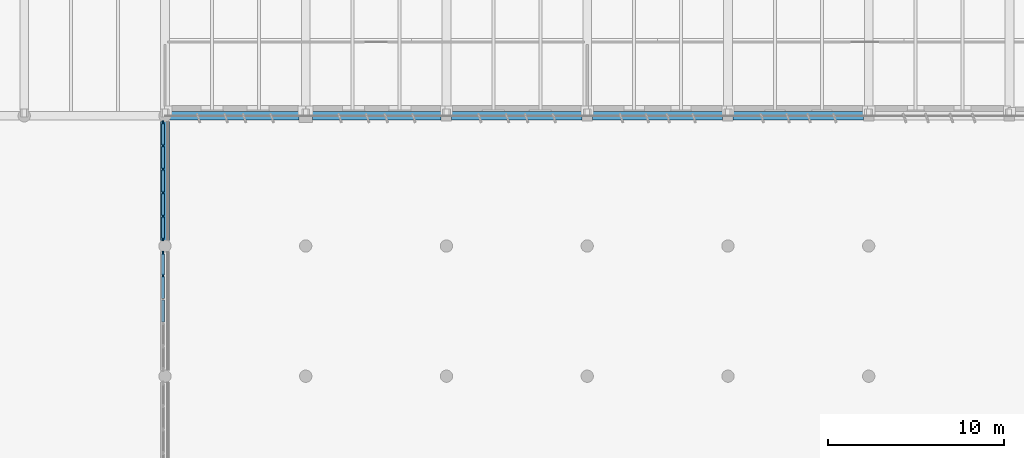
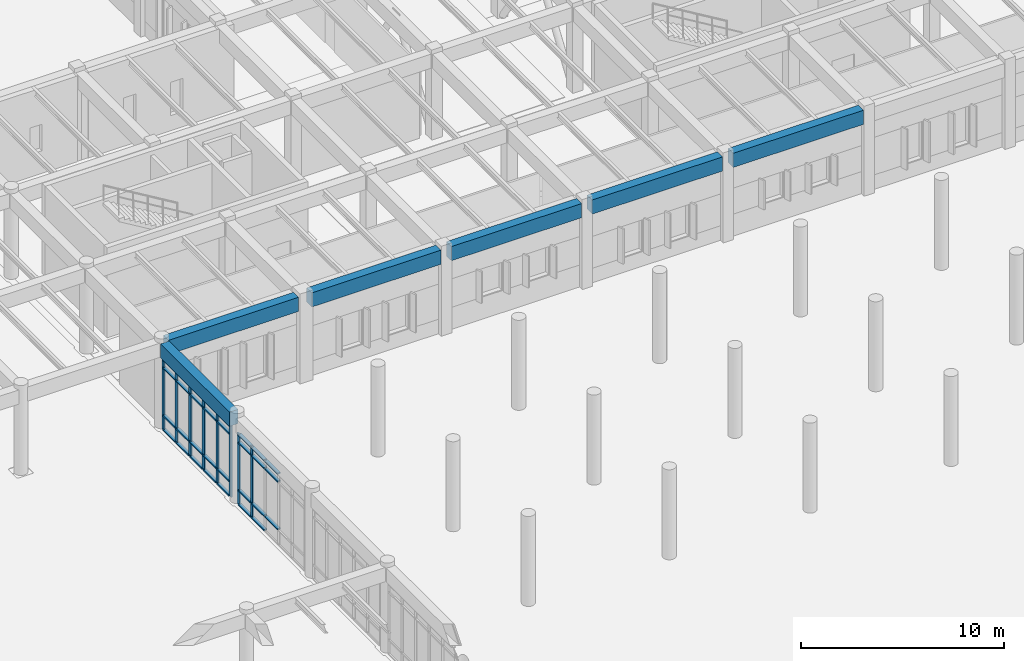
# One storey, part 6 of 56: 39 members, 6 beams, 2 elements without a shape of their own.
"""IFC4 building model written with IfcOpenShell, lengths in metres."""

from ifc_helpers import new_model, si_unit, direction, frame, origin, origin_2d, place, context, subcontext, project, spatial, rectangle, extrude, material, layer, layer_set, material_profile, profile_set, type_object, element, aggregate, save


model = new_model("IFC4")

# Units and contexts
model_context = context("Model", 3, precision=1e-05, world=origin(), true_north=direction((0.0, 1.0)))
body_context = subcontext(model_context, "Body", "Model", "MODEL_VIEW")
ifc_project = project(units=[si_unit("LENGTHUNIT", "METRE"), si_unit("AREAUNIT", "SQUARE_METRE"), si_unit("VOLUMEUNIT", "CUBIC_METRE"), si_unit("PLANEANGLEUNIT", "RADIAN"), si_unit("MASSUNIT", "GRAM", prefix="KILO")], contexts=[model_context])

# Site, building, storey
site_placement = place(None, origin())
site = spatial("IfcSite", under=ifc_project, at=site_placement, CompositionType="ELEMENT")
building_placement = place(site_placement, origin())
building = spatial("IfcBuilding", under=site, at=building_placement, Name="Valkorina Park Police Headquarters", CompositionType="ELEMENT")
storey_placement = place(building_placement, origin())
storey = spatial("IfcBuildingStorey", under=building, at=storey_placement, Name="L01", CompositionType="ELEMENT", Elevation=0.0)

# Beams
ifc_material_1 = material(Name="Concrete C40/50", Category="concrete")
ifc_material_profile_1 = material_profile(ifc_material_1, rectangle(XDim=0.5, YDim=0.85009765625, at=origin_2d()), Name="RC BEAM 500x850")
ifc_profile_set_1 = profile_set([ifc_material_profile_1], Name="Concrete C40/50")
beam_type = type_object("IfcBeamType", Name="BM-RC-500x850-EXT", PredefinedType="SPANDREL", material=ifc_profile_set_1)
beam_1_placement = place(storey_placement, frame((81.044921875, 59.199951171875, 4.715087890625), z_axis=(1.0, 0.0, 0.0), x_axis=(0.0, 1.0, 0.0)))
element("IfcBeam", 1, at=beam_1_placement, inside=storey, type_object=beam_type, Name="L01 Framing Beam 0772", PredefinedType="SPANDREL", context=body_context, shape_type="SweptSolid", body=[
    extrude(rectangle(XDim=0.5, YDim=0.85009765625, at=origin_2d()), origin(), (0.0, 0.0, 1.0), 7.380126953125),
])
beam_2_placement = place(storey_placement, frame((89.175048828125, 59.199951171875, 4.715087890625), z_axis=(1.0, 0.0, 0.0), x_axis=(0.0, 1.0, 0.0)))
element("IfcBeam", 2, at=beam_2_placement, inside=storey, type_object=beam_type, Name="L01 Framing Beam 0773", PredefinedType="SPANDREL", context=body_context, shape_type="SweptSolid", body=[
    extrude(rectangle(XDim=0.5, YDim=0.85009765625, at=origin_2d()), origin(), (0.0, 0.0, 1.0), 7.324951171875),
])
for number, where, z_axis, x_axis, name in (
    (3, (97.10009765625, 59.199951171875, 4.715087890625), (1.0, 0.0, 0.0), (0.0, 1.0, 0.0), "L01 Framing Beam 0774"),
    (4, (105.10009765625, 59.199951171875, 4.715087890625), (1.0, 0.0, 0.0), (0.0, 1.0, 0.0), "L01 Framing Beam 0775"),
    (5, (113.10009765625, 59.199951171875, 4.715087890625), (1.0, 0.0, 0.0), (0.0, 1.0, 0.0), "L01 Framing Beam 0776"),
):
    element("IfcBeam", number, at=place(storey_placement, frame(where, z_axis=z_axis, x_axis=x_axis)), inside=storey, type_object=beam_type, Name=name, PredefinedType="SPANDREL", context=body_context, shape_type="SweptSolid", body=[
        extrude(rectangle(XDim=0.5, YDim=0.85009765625, at=origin_2d()), origin(), (0.0, 0.0, 1.0), 7.39990234375),
    ])
beam_3_placement = place(storey_placement, frame((80.800048828125, 52.1162109375, 4.715087890625), z_axis=(0.0, 1.0, 0.0), x_axis=(-1.0, 0.0, 0.0)))
element("IfcBeam", 6, at=beam_3_placement, inside=storey, type_object=beam_type, Name="L01 Framing Beam 1078", PredefinedType="SPANDREL", context=body_context, shape_type="SweptSolid", body=[
    extrude(rectangle(XDim=0.5, YDim=0.85009765625, at=origin_2d()), origin(), (0.0, 0.0, 1.0), 6.767578125),
])

# Curtain wall, members
ifc_material_2 = material(Name="Thermally broken aluminium AW-6060", Category="aluminium")
ifc_layer = layer(ifc_material_2, 0.18994140625)
ifc_layer_set = layer_set([ifc_layer], Name="Thermally broken aluminium AW-6060")
curtain_wall_type = type_object("IfcCurtainWallType", Name="CW-V4-6680x4280", PredefinedType="NOTDEFINED", material=ifc_layer_set)
curtain_wall_1_placement = place(storey_placement, origin())
curtain_wall_1 = element("IfcCurtainWall", 7, at=curtain_wall_1_placement, inside=storey, type_object=curtain_wall_type, Name="L01 Unitised Curtain Wall 001", PredefinedType="NOTDEFINED")
ifc_material_profile_2 = material_profile(ifc_material_2, rectangle(XDim=0.080078125, YDim=0.219970703125, at=origin_2d()), Name="CWM-03 80x220")
ifc_profile_set_2 = profile_set([ifc_material_profile_2], Name="Thermally broken aluminium AW-6060")
member_type_1 = type_object("IfcMemberType", Name="CWM-80x220", PredefinedType="MULLION", material=ifc_profile_set_2)
member_1_placement = place(storey_placement, frame((80.679931640625, 58.800048828125, 0.0), z_axis=(0.0, 0.0, 1.0), x_axis=(1.0, 0.0, 0.0)))
member_1 = element("IfcMember", 8, at=member_1_placement, type_object=member_type_1, Name="CW-V4-668-428 mullion 1", PredefinedType="MULLION", context=body_context, shape_type="SweptSolid", body=[
    extrude(rectangle(XDim=0.080078125, YDim=0.219970703125, at=origin_2d()), origin(), (0.0, 0.0, 1.0), 4.280029296875),
])
member_2_placement = place(storey_placement, frame((80.679931640625, 57.50390625, 0.0), z_axis=(0.0, 0.0, 1.0), x_axis=(1.0, 0.0, 0.0)))
member_2 = element("IfcMember", 9, at=member_2_placement, type_object=member_type_1, Name="CW-V4-668-428 mullion 2", PredefinedType="MULLION", context=body_context, shape_type="SweptSolid", body=[
    extrude(rectangle(XDim=0.080078125, YDim=0.219970703125, at=origin_2d()), origin(), (0.0, 0.0, 1.0), 4.280029296875),
])
member_3_placement = place(storey_placement, frame((80.679931640625, 56.16796875, 0.0), z_axis=(0.0, 0.0, 1.0), x_axis=(1.0, 0.0, 0.0)))
member_3 = element("IfcMember", 10, at=member_3_placement, type_object=member_type_1, Name="CW-V4-668-428 mullion 3", PredefinedType="MULLION", context=body_context, shape_type="SweptSolid", body=[
    extrude(rectangle(XDim=0.080078125, YDim=0.219970703125, at=origin_2d()), origin(), (0.0, 0.0, 1.0), 4.280029296875),
])
member_4_placement = place(storey_placement, frame((80.679931640625, 54.83203125, 0.0), z_axis=(0.0, 0.0, 1.0), x_axis=(1.0, 0.0, 0.0)))
member_4 = element("IfcMember", 11, at=member_4_placement, type_object=member_type_1, Name="CW-V4-668-428 mullion 4", PredefinedType="MULLION", context=body_context, shape_type="SweptSolid", body=[
    extrude(rectangle(XDim=0.080078125, YDim=0.219970703125, at=origin_2d()), origin(), (0.0, 0.0, 1.0), 4.280029296875),
])
member_5_placement = place(storey_placement, frame((80.679931640625, 53.49609375, 0.0), z_axis=(0.0, 0.0, 1.0), x_axis=(1.0, 0.0, 0.0)))
member_5 = element("IfcMember", 12, at=member_5_placement, type_object=member_type_1, Name="CW-V4-668-428 mullion 5", PredefinedType="MULLION", context=body_context, shape_type="SweptSolid", body=[
    extrude(rectangle(XDim=0.080078125, YDim=0.219970703125, at=origin_2d()), origin(), (0.0, 0.0, 1.0), 4.280029296875),
])
member_6_placement = place(storey_placement, frame((80.679931640625, 52.199951171875, 0.0), z_axis=(0.0, 0.0, 1.0), x_axis=(1.0, 0.0, 0.0)))
member_6 = element("IfcMember", 13, at=member_6_placement, type_object=member_type_1, Name="CW-V4-668-428 mullion 6", PredefinedType="MULLION", context=body_context, shape_type="SweptSolid", body=[
    extrude(rectangle(XDim=0.080078125, YDim=0.219970703125, at=origin_2d()), origin(), (0.0, 0.0, 1.0), 4.280029296875),
])

curtain_wall_2_placement = place(storey_placement, origin())
curtain_wall_2 = element("IfcCurtainWall", 14, at=curtain_wall_2_placement, inside=storey, type_object=curtain_wall_type, Name="L01 Unitised Curtain Wall 002", PredefinedType="NOTDEFINED")
member_7_placement = place(storey_placement, frame((80.679931640625, 51.39990234375, 0.0), z_axis=(0.0, 0.0, 1.0), x_axis=(1.0, 0.0, 0.0)))
member_7 = element("IfcMember", 15, at=member_7_placement, type_object=member_type_1, Name="CW-V4-668-428 mullion 1", PredefinedType="MULLION", context=body_context, shape_type="SweptSolid", body=[
    extrude(rectangle(XDim=0.080078125, YDim=0.219970703125, at=origin_2d()), origin(), (0.0, 0.0, 1.0), 4.280029296875),
])
member_8_placement = place(storey_placement, frame((80.679931640625, 50.10400390625, 0.0), z_axis=(0.0, 0.0, 1.0), x_axis=(1.0, 0.0, 0.0)))
member_8 = element("IfcMember", 16, at=member_8_placement, type_object=member_type_1, Name="CW-V4-668-428 mullion 2", PredefinedType="MULLION", context=body_context, shape_type="SweptSolid", body=[
    extrude(rectangle(XDim=0.080078125, YDim=0.219970703125, at=origin_2d()), origin(), (0.0, 0.0, 1.0), 4.280029296875),
])

# Member
ifc_material_profile_3 = material_profile(ifc_material_2, rectangle(XDim=0.179931640625, YDim=0.080078125, at=origin_2d()), Name="CWT-03 180x80")
ifc_profile_set_3 = profile_set([ifc_material_profile_3], Name="Thermally broken aluminium AW-6060")
member_type_2 = type_object("IfcMemberType", Name="CWT-180x80", PredefinedType="USERDEFINED", material=ifc_profile_set_3)
member_9_placement = place(storey_placement, frame((80.679931640625, 58.760009765625, 0.0400390625), z_axis=(0.0, -1.0, 0.0), x_axis=(1.0, 0.0, 0.0)))
member_9 = element("IfcMember", 17, at=member_9_placement, type_object=member_type_2, Name="CW-V4-668-428 transom 1.1", ObjectType="TRANSOM", PredefinedType="USERDEFINED", context=body_context, shape_type="SweptSolid", body=[
    extrude(rectangle(XDim=0.179931640625, YDim=0.080078125, at=origin_2d()), origin(), (0.0, 0.0, 1.0), 1.216064453125),
])

member_10_placement = place(storey_placement, frame((80.679931640625, 58.760009765625, 0.89990234375), z_axis=(0.0, -1.0, 0.0), x_axis=(1.0, 0.0, 0.0)))
member_10 = element("IfcMember", 18, at=member_10_placement, type_object=member_type_2, Name="CW-V4-668-428 transom 1.2", ObjectType="TRANSOM", PredefinedType="USERDEFINED", context=body_context, shape_type="SweptSolid", body=[
    extrude(rectangle(XDim=0.179931640625, YDim=0.080078125, at=origin_2d()), origin(), (0.0, 0.0, 1.0), 1.216064453125),
])

member_11_placement = place(storey_placement, frame((80.679931640625, 58.760009765625, 3.760009765625), z_axis=(0.0, -1.0, 0.0), x_axis=(1.0, 0.0, 0.0)))
member_11 = element("IfcMember", 19, at=member_11_placement, type_object=member_type_2, Name="CW-V4-668-428 transom 1.3", ObjectType="TRANSOM", PredefinedType="USERDEFINED", context=body_context, shape_type="SweptSolid", body=[
    extrude(rectangle(XDim=0.179931640625, YDim=0.080078125, at=origin_2d()), origin(), (0.0, 0.0, 1.0), 1.216064453125),
])

member_12_placement = place(storey_placement, frame((80.679931640625, 58.760009765625, 4.239990234375), z_axis=(0.0, -1.0, 0.0), x_axis=(1.0, 0.0, 0.0)))
member_12 = element("IfcMember", 20, at=member_12_placement, type_object=member_type_2, Name="CW-V4-668-428 transom 1.4", ObjectType="TRANSOM", PredefinedType="USERDEFINED", context=body_context, shape_type="SweptSolid", body=[
    extrude(rectangle(XDim=0.179931640625, YDim=0.080078125, at=origin_2d()), origin(), (0.0, 0.0, 1.0), 1.216064453125),
])

member_13_placement = place(storey_placement, frame((80.679931640625, 57.464111328125, 0.0400390625), z_axis=(0.0, -1.0, 0.0), x_axis=(1.0, 0.0, 0.0)))
member_13 = element("IfcMember", 21, at=member_13_placement, type_object=member_type_2, Name="CW-V4-668-428 transom 2.1", ObjectType="TRANSOM", PredefinedType="USERDEFINED", context=body_context, shape_type="SweptSolid", body=[
    extrude(rectangle(XDim=0.179931640625, YDim=0.080078125, at=origin_2d()), origin(), (0.0, 0.0, 1.0), 1.256103515625),
])

member_14_placement = place(storey_placement, frame((80.679931640625, 57.464111328125, 0.89990234375), z_axis=(0.0, -1.0, 0.0), x_axis=(1.0, 0.0, 0.0)))
member_14 = element("IfcMember", 22, at=member_14_placement, type_object=member_type_2, Name="CW-V4-668-428 transom 2.2", ObjectType="TRANSOM", PredefinedType="USERDEFINED", context=body_context, shape_type="SweptSolid", body=[
    extrude(rectangle(XDim=0.179931640625, YDim=0.080078125, at=origin_2d()), origin(), (0.0, 0.0, 1.0), 1.256103515625),
])

member_15_placement = place(storey_placement, frame((80.679931640625, 57.464111328125, 3.760009765625), z_axis=(0.0, -1.0, 0.0), x_axis=(1.0, 0.0, 0.0)))
member_15 = element("IfcMember", 23, at=member_15_placement, type_object=member_type_2, Name="CW-V4-668-428 transom 2.3", ObjectType="TRANSOM", PredefinedType="USERDEFINED", context=body_context, shape_type="SweptSolid", body=[
    extrude(rectangle(XDim=0.179931640625, YDim=0.080078125, at=origin_2d()), origin(), (0.0, 0.0, 1.0), 1.256103515625),
])

member_16_placement = place(storey_placement, frame((80.679931640625, 57.464111328125, 4.239990234375), z_axis=(0.0, -1.0, 0.0), x_axis=(1.0, 0.0, 0.0)))
member_16 = element("IfcMember", 24, at=member_16_placement, type_object=member_type_2, Name="CW-V4-668-428 transom 2.4", ObjectType="TRANSOM", PredefinedType="USERDEFINED", context=body_context, shape_type="SweptSolid", body=[
    extrude(rectangle(XDim=0.179931640625, YDim=0.080078125, at=origin_2d()), origin(), (0.0, 0.0, 1.0), 1.256103515625),
])

member_17_placement = place(storey_placement, frame((80.679931640625, 56.1279296875, 0.0400390625), z_axis=(0.0, -1.0, 0.0), x_axis=(1.0, 0.0, 0.0)))
member_17 = element("IfcMember", 25, at=member_17_placement, type_object=member_type_2, Name="CW-V4-668-428 transom 3.1", ObjectType="TRANSOM", PredefinedType="USERDEFINED", context=body_context, shape_type="SweptSolid", body=[
    extrude(rectangle(XDim=0.179931640625, YDim=0.080078125, at=origin_2d()), origin(), (0.0, 0.0, 1.0), 1.255859375),
])

member_18_placement = place(storey_placement, frame((80.679931640625, 56.1279296875, 0.89990234375), z_axis=(0.0, -1.0, 0.0), x_axis=(1.0, 0.0, 0.0)))
member_18 = element("IfcMember", 26, at=member_18_placement, type_object=member_type_2, Name="CW-V4-668-428 transom 3.2", ObjectType="TRANSOM", PredefinedType="USERDEFINED", context=body_context, shape_type="SweptSolid", body=[
    extrude(rectangle(XDim=0.179931640625, YDim=0.080078125, at=origin_2d()), origin(), (0.0, 0.0, 1.0), 1.255859375),
])

member_19_placement = place(storey_placement, frame((80.679931640625, 56.1279296875, 3.760009765625), z_axis=(0.0, -1.0, 0.0), x_axis=(1.0, 0.0, 0.0)))
member_19 = element("IfcMember", 27, at=member_19_placement, type_object=member_type_2, Name="CW-V4-668-428 transom 3.3", ObjectType="TRANSOM", PredefinedType="USERDEFINED", context=body_context, shape_type="SweptSolid", body=[
    extrude(rectangle(XDim=0.179931640625, YDim=0.080078125, at=origin_2d()), origin(), (0.0, 0.0, 1.0), 1.255859375),
])

member_20_placement = place(storey_placement, frame((80.679931640625, 56.1279296875, 4.239990234375), z_axis=(0.0, -1.0, 0.0), x_axis=(1.0, 0.0, 0.0)))
member_20 = element("IfcMember", 28, at=member_20_placement, type_object=member_type_2, Name="CW-V4-668-428 transom 3.4", ObjectType="TRANSOM", PredefinedType="USERDEFINED", context=body_context, shape_type="SweptSolid", body=[
    extrude(rectangle(XDim=0.179931640625, YDim=0.080078125, at=origin_2d()), origin(), (0.0, 0.0, 1.0), 1.255859375),
])

member_21_placement = place(storey_placement, frame((80.679931640625, 54.7919921875, 0.0400390625), z_axis=(0.0, -1.0, 0.0), x_axis=(1.0, 0.0, 0.0)))
member_21 = element("IfcMember", 29, at=member_21_placement, type_object=member_type_2, Name="CW-V4-668-428 transom 4.1", ObjectType="TRANSOM", PredefinedType="USERDEFINED", context=body_context, shape_type="SweptSolid", body=[
    extrude(rectangle(XDim=0.179931640625, YDim=0.080078125, at=origin_2d()), origin(), (0.0, 0.0, 1.0), 1.256103515625),
])

member_22_placement = place(storey_placement, frame((80.679931640625, 54.7919921875, 0.89990234375), z_axis=(0.0, -1.0, 0.0), x_axis=(1.0, 0.0, 0.0)))
member_22 = element("IfcMember", 30, at=member_22_placement, type_object=member_type_2, Name="CW-V4-668-428 transom 4.2", ObjectType="TRANSOM", PredefinedType="USERDEFINED", context=body_context, shape_type="SweptSolid", body=[
    extrude(rectangle(XDim=0.179931640625, YDim=0.080078125, at=origin_2d()), origin(), (0.0, 0.0, 1.0), 1.256103515625),
])

member_23_placement = place(storey_placement, frame((80.679931640625, 54.7919921875, 3.760009765625), z_axis=(0.0, -1.0, 0.0), x_axis=(1.0, 0.0, 0.0)))
member_23 = element("IfcMember", 31, at=member_23_placement, type_object=member_type_2, Name="CW-V4-668-428 transom 4.3", ObjectType="TRANSOM", PredefinedType="USERDEFINED", context=body_context, shape_type="SweptSolid", body=[
    extrude(rectangle(XDim=0.179931640625, YDim=0.080078125, at=origin_2d()), origin(), (0.0, 0.0, 1.0), 1.256103515625),
])

member_24_placement = place(storey_placement, frame((80.679931640625, 54.7919921875, 4.239990234375), z_axis=(0.0, -1.0, 0.0), x_axis=(1.0, 0.0, 0.0)))
member_24 = element("IfcMember", 32, at=member_24_placement, type_object=member_type_2, Name="CW-V4-668-428 transom 4.4", ObjectType="TRANSOM", PredefinedType="USERDEFINED", context=body_context, shape_type="SweptSolid", body=[
    extrude(rectangle(XDim=0.179931640625, YDim=0.080078125, at=origin_2d()), origin(), (0.0, 0.0, 1.0), 1.256103515625),
])

member_25_placement = place(storey_placement, frame((80.679931640625, 53.4560546875, 0.0400390625), z_axis=(0.0, -1.0, 0.0), x_axis=(1.0, 0.0, 0.0)))
member_25 = element("IfcMember", 33, at=member_25_placement, type_object=member_type_2, Name="CW-V4-668-428 transom 5.1", ObjectType="TRANSOM", PredefinedType="USERDEFINED", context=body_context, shape_type="SweptSolid", body=[
    extrude(rectangle(XDim=0.179931640625, YDim=0.080078125, at=origin_2d()), origin(), (0.0, 0.0, 1.0), 1.216064453125),
])

member_26_placement = place(storey_placement, frame((80.679931640625, 53.4560546875, 0.89990234375), z_axis=(0.0, -1.0, 0.0), x_axis=(1.0, 0.0, 0.0)))
member_26 = element("IfcMember", 34, at=member_26_placement, type_object=member_type_2, Name="CW-V4-668-428 transom 5.2", ObjectType="TRANSOM", PredefinedType="USERDEFINED", context=body_context, shape_type="SweptSolid", body=[
    extrude(rectangle(XDim=0.179931640625, YDim=0.080078125, at=origin_2d()), origin(), (0.0, 0.0, 1.0), 1.216064453125),
])

member_27_placement = place(storey_placement, frame((80.679931640625, 53.4560546875, 3.760009765625), z_axis=(0.0, -1.0, 0.0), x_axis=(1.0, 0.0, 0.0)))
member_27 = element("IfcMember", 35, at=member_27_placement, type_object=member_type_2, Name="CW-V4-668-428 transom 5.3", ObjectType="TRANSOM", PredefinedType="USERDEFINED", context=body_context, shape_type="SweptSolid", body=[
    extrude(rectangle(XDim=0.179931640625, YDim=0.080078125, at=origin_2d()), origin(), (0.0, 0.0, 1.0), 1.216064453125),
])

member_28_placement = place(storey_placement, frame((80.679931640625, 53.4560546875, 4.239990234375), z_axis=(0.0, -1.0, 0.0), x_axis=(1.0, 0.0, 0.0)))
member_28 = element("IfcMember", 36, at=member_28_placement, type_object=member_type_2, Name="CW-V4-668-428 transom 5.4", ObjectType="TRANSOM", PredefinedType="USERDEFINED", context=body_context, shape_type="SweptSolid", body=[
    extrude(rectangle(XDim=0.179931640625, YDim=0.080078125, at=origin_2d()), origin(), (0.0, 0.0, 1.0), 1.216064453125),
])

aggregate(curtain_wall_1, [member_1, member_2, member_3, member_4, member_5, member_6, member_9, member_10, member_11, member_12, member_13, member_14, member_15, member_16, member_17, member_18, member_19, member_20, member_21, member_22, member_23, member_24, member_25, member_26, member_27, member_28])

member_29_placement = place(storey_placement, frame((80.679931640625, 51.360107421875, 0.0400390625), z_axis=(0.0, -1.0, 0.0), x_axis=(1.0, 0.0, 0.0)))
member_29 = element("IfcMember", 37, at=member_29_placement, type_object=member_type_2, Name="CW-V4-668-428 transom 1.1", ObjectType="TRANSOM", PredefinedType="USERDEFINED", context=body_context, shape_type="SweptSolid", body=[
    extrude(rectangle(XDim=0.179931640625, YDim=0.080078125, at=origin_2d()), origin(), (0.0, 0.0, 1.0), 1.216064453125),
])

member_30_placement = place(storey_placement, frame((80.679931640625, 51.360107421875, 0.89990234375), z_axis=(0.0, -1.0, 0.0), x_axis=(1.0, 0.0, 0.0)))
member_30 = element("IfcMember", 38, at=member_30_placement, type_object=member_type_2, Name="CW-V4-668-428 transom 1.2", ObjectType="TRANSOM", PredefinedType="USERDEFINED", context=body_context, shape_type="SweptSolid", body=[
    extrude(rectangle(XDim=0.179931640625, YDim=0.080078125, at=origin_2d()), origin(), (0.0, 0.0, 1.0), 1.216064453125),
])

member_31_placement = place(storey_placement, frame((80.679931640625, 51.360107421875, 3.760009765625), z_axis=(0.0, -1.0, 0.0), x_axis=(1.0, 0.0, 0.0)))
member_31 = element("IfcMember", 39, at=member_31_placement, type_object=member_type_2, Name="CW-V4-668-428 transom 1.3", ObjectType="TRANSOM", PredefinedType="USERDEFINED", context=body_context, shape_type="SweptSolid", body=[
    extrude(rectangle(XDim=0.179931640625, YDim=0.080078125, at=origin_2d()), origin(), (0.0, 0.0, 1.0), 1.216064453125),
])

member_32_placement = place(storey_placement, frame((80.679931640625, 51.360107421875, 4.239990234375), z_axis=(0.0, -1.0, 0.0), x_axis=(1.0, 0.0, 0.0)))
member_32 = element("IfcMember", 40, at=member_32_placement, type_object=member_type_2, Name="CW-V4-668-428 transom 1.4", ObjectType="TRANSOM", PredefinedType="USERDEFINED", context=body_context, shape_type="SweptSolid", body=[
    extrude(rectangle(XDim=0.179931640625, YDim=0.080078125, at=origin_2d()), origin(), (0.0, 0.0, 1.0), 1.216064453125),
])

member_33_placement = place(storey_placement, frame((80.679931640625, 50.06396484375, 0.0400390625), z_axis=(0.0, -1.0, 0.0), x_axis=(1.0, 0.0, 0.0)))
member_33 = element("IfcMember", 41, at=member_33_placement, type_object=member_type_2, Name="CW-V4-668-428 transom 2.1", ObjectType="TRANSOM", PredefinedType="USERDEFINED", context=body_context, shape_type="SweptSolid", body=[
    extrude(rectangle(XDim=0.179931640625, YDim=0.080078125, at=origin_2d()), origin(), (0.0, 0.0, 1.0), 1.255859375),
])

member_34_placement = place(storey_placement, frame((80.679931640625, 50.06396484375, 0.89990234375), z_axis=(0.0, -1.0, 0.0), x_axis=(1.0, 0.0, 0.0)))
member_34 = element("IfcMember", 42, at=member_34_placement, type_object=member_type_2, Name="CW-V4-668-428 transom 2.2", ObjectType="TRANSOM", PredefinedType="USERDEFINED", context=body_context, shape_type="SweptSolid", body=[
    extrude(rectangle(XDim=0.179931640625, YDim=0.080078125, at=origin_2d()), origin(), (0.0, 0.0, 1.0), 1.255859375),
])

member_35_placement = place(storey_placement, frame((80.679931640625, 50.06396484375, 3.760009765625), z_axis=(0.0, -1.0, 0.0), x_axis=(1.0, 0.0, 0.0)))
member_35 = element("IfcMember", 43, at=member_35_placement, type_object=member_type_2, Name="CW-V4-668-428 transom 2.3", ObjectType="TRANSOM", PredefinedType="USERDEFINED", context=body_context, shape_type="SweptSolid", body=[
    extrude(rectangle(XDim=0.179931640625, YDim=0.080078125, at=origin_2d()), origin(), (0.0, 0.0, 1.0), 1.255859375),
])

member_36_placement = place(storey_placement, frame((80.679931640625, 50.06396484375, 4.239990234375), z_axis=(0.0, -1.0, 0.0), x_axis=(1.0, 0.0, 0.0)))
member_36 = element("IfcMember", 44, at=member_36_placement, type_object=member_type_2, Name="CW-V4-668-428 transom 2.4", ObjectType="TRANSOM", PredefinedType="USERDEFINED", context=body_context, shape_type="SweptSolid", body=[
    extrude(rectangle(XDim=0.179931640625, YDim=0.080078125, at=origin_2d()), origin(), (0.0, 0.0, 1.0), 1.255859375),
])

member_37_placement = place(storey_placement, frame((80.679931640625, 48.72802734375, 0.89990234375), z_axis=(0.0, -1.0, 0.0), x_axis=(1.0, 0.0, 0.0)))
member_37 = element("IfcMember", 45, at=member_37_placement, type_object=member_type_2, Name="CW-V4-668-428 transom 3.2", ObjectType="TRANSOM", PredefinedType="USERDEFINED", context=body_context, shape_type="SweptSolid", body=[
    extrude(rectangle(XDim=0.179931640625, YDim=0.080078125, at=origin_2d()), origin(), (0.0, 0.0, 1.0), 1.256103515625),
])

member_38_placement = place(storey_placement, frame((80.679931640625, 48.72802734375, 3.760009765625), z_axis=(0.0, -1.0, 0.0), x_axis=(1.0, 0.0, 0.0)))
member_38 = element("IfcMember", 46, at=member_38_placement, type_object=member_type_2, Name="CW-V4-668-428 transom 3.3", ObjectType="TRANSOM", PredefinedType="USERDEFINED", context=body_context, shape_type="SweptSolid", body=[
    extrude(rectangle(XDim=0.179931640625, YDim=0.080078125, at=origin_2d()), origin(), (0.0, 0.0, 1.0), 1.256103515625),
])

member_39_placement = place(storey_placement, frame((80.679931640625, 48.72802734375, 4.239990234375), z_axis=(0.0, -1.0, 0.0), x_axis=(1.0, 0.0, 0.0)))
member_39 = element("IfcMember", 47, at=member_39_placement, type_object=member_type_2, Name="CW-V4-668-428 transom 3.4", ObjectType="TRANSOM", PredefinedType="USERDEFINED", context=body_context, shape_type="SweptSolid", body=[
    extrude(rectangle(XDim=0.179931640625, YDim=0.080078125, at=origin_2d()), origin(), (0.0, 0.0, 1.0), 1.256103515625),
])

aggregate(curtain_wall_2, [member_7, member_8, member_29, member_30, member_31, member_32, member_33, member_34, member_35, member_36, member_37, member_38, member_39])

save(model, "model.ifc")
